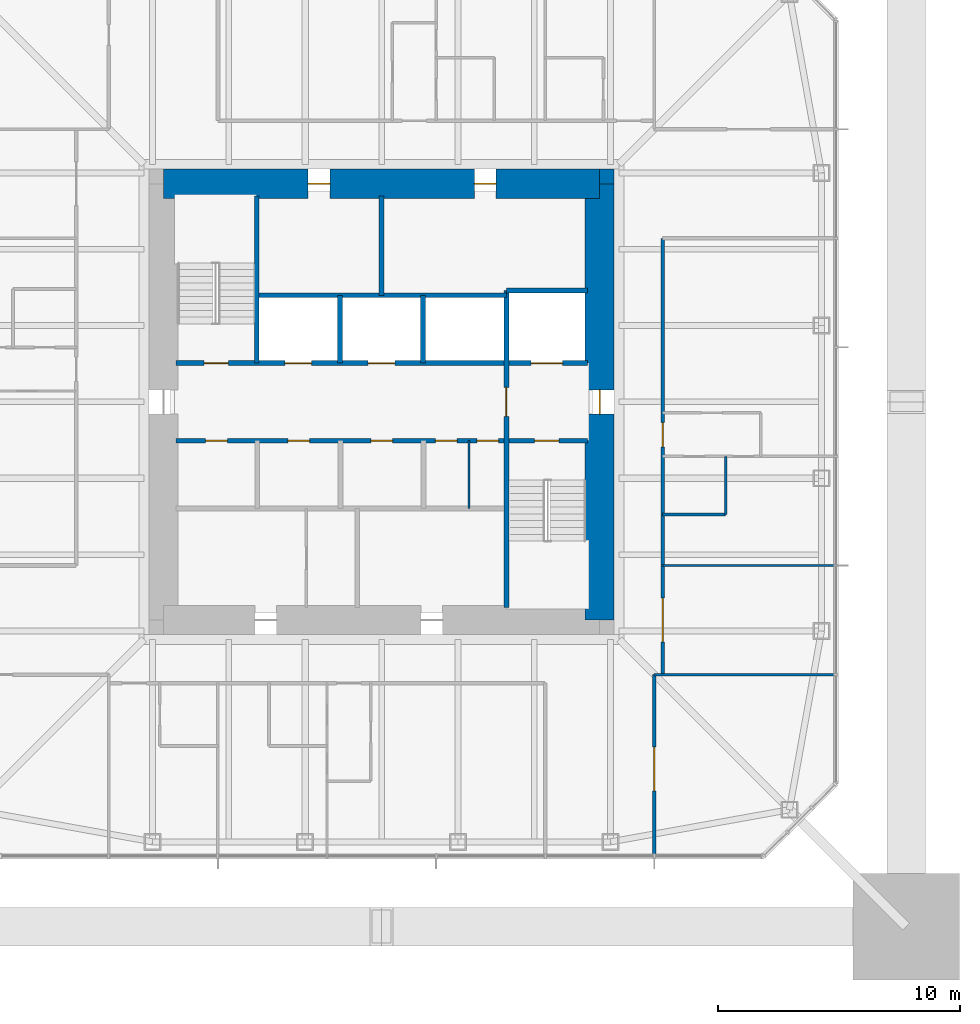
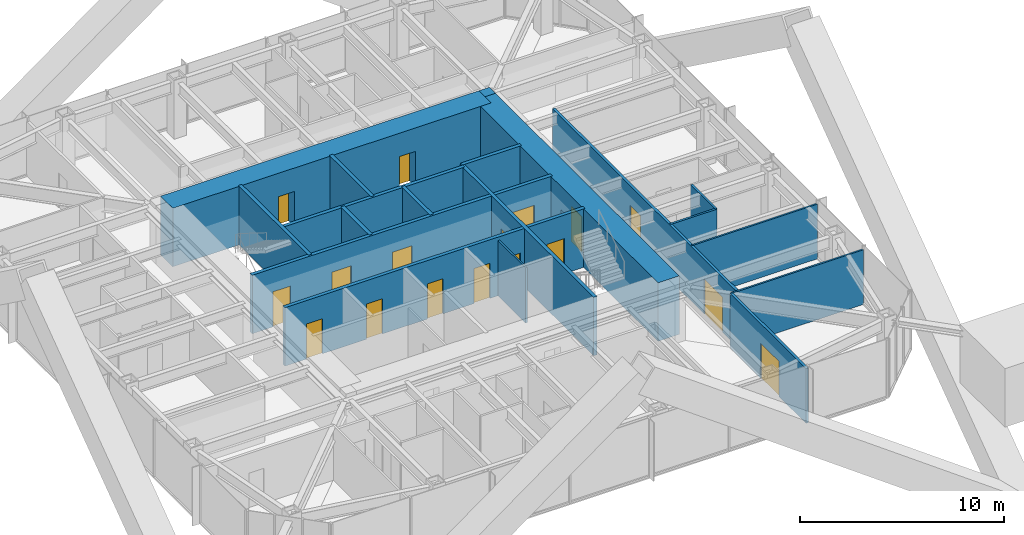
# One storey, part 9 of 13: 19 walls, 17 doors, 17 openings.
"""IFC4 building model written with IfcOpenShell, lengths in metres."""

from ifc_helpers import new_model, si_unit, direction, frame, frame_2d, origin, place, context, subcontext, project, spatial, rectangle, extrude, material, layer, layer_set, type_object, element, fill, save


model = new_model("IFC4")

# Units and contexts
model_context = context("Model", 3, precision=1e-05, world=origin(), true_north=direction((0.0, 1.0)))
body_context = subcontext(model_context, "Body", "Model", "MODEL_VIEW")
ifc_project = project(units=[si_unit("LENGTHUNIT", "METRE"), si_unit("AREAUNIT", "SQUARE_METRE"), si_unit("VOLUMEUNIT", "CUBIC_METRE"), si_unit("PLANEANGLEUNIT", "RADIAN"), si_unit("MASSUNIT", "GRAM", prefix="KILO")], contexts=[model_context])

# Site, building, storey
site_placement = place(None, origin())
site = spatial("IfcSite", under=ifc_project, at=site_placement, CompositionType="ELEMENT")
building_placement = place(site_placement, origin())
building = spatial("IfcBuilding", under=site, at=building_placement, Name="Iwan Alto Co-Living Towers", CompositionType="ELEMENT")
storey_placement = place(building_placement, frame((0.0, 0.0, 184.5)))
storey = spatial("IfcBuildingStorey", under=building, at=storey_placement, Name="L50", CompositionType="ELEMENT", Elevation=184.5)

# Wall, openings, doors
ifc_material_1 = material(Name="Gypsum board")
ifc_layer_1 = layer(ifc_material_1, 0.02490234375, Name="Board", Category="Finish")
ifc_material_2 = material(Name="Steel ASTM A1003 ST33H cold-formed studs", Category="steel")
ifc_layer_2 = layer(ifc_material_2, 0.10009765625, Name="Studs", Category="Framing")
ifc_layer_3 = layer(ifc_material_1, 0.02490234375, Name="Board", Category="Finish")
ifc_layer_set_1 = layer_set([ifc_layer_1, ifc_layer_2, ifc_layer_3], Name="CORRIDOR WALL 150")
wall_type_1 = type_object("IfcWallType", Name="CORRIDOR WALL 150", PredefinedType="PARTITIONING", material=ifc_layer_set_1)
wall_1_placement = place(storey_placement, frame((11.60009765625, -11.25, 0.0), z_axis=(0.0, 0.0, 1.0), x_axis=(0.0, 1.0, 0.0)))
wall_1 = element("IfcWall", 1, at=wall_1_placement, inside=storey, type_object=wall_type_1, Name="Partition L50", PredefinedType="PARTITIONING", context=body_context, shape_type="SweptSolid", body=[
    extrude(rectangle(XDim=18.0, YDim=0.14990234375, at=frame_2d((9.0, 0.0))), origin(), (0.0, 0.0, 1.0), 3.27001953125),
])
opening_1_placement = place(wall_1_placement, frame((1.35009765625, 0.0, 0.0)))
opening_1 = element("IfcOpeningElement", 2, at=opening_1_placement, cuts=wall_1, Name="Opening D9", PredefinedType="OPENING", context=body_context, shape_type="SweptSolid", body=[
    extrude(rectangle(XDim=1.800048828125, YDim=2.10009765625, at=frame_2d((0.89990234375, 1.050048828125))), frame((0.0, 0.0849609375, 0.0), z_axis=(0.0, -1.0, 0.0), x_axis=(1.0, 0.0, 0.0)), (0.0, 0.0, 1.0), 0.169921875),
])
opening_2_placement = place(wall_1_placement, frame((9.39990234375, 0.0, 0.0)))
opening_2 = element("IfcOpeningElement", 3, at=opening_2_placement, cuts=wall_1, Name="Opening D3", PredefinedType="OPENING", context=body_context, shape_type="SweptSolid", body=[
    extrude(rectangle(XDim=1.0, YDim=2.10009765625, at=frame_2d((0.5, 1.050048828125))), frame((0.0, 0.0849609375, 0.0), z_axis=(0.0, -1.0, 0.0), x_axis=(1.0, 0.0, 0.0)), (0.0, 0.0, 1.0), 0.169921875),
])
ifc_material_3 = material(Name="Steel frame with timber leaf", Category="steel")
door_type_1 = type_object("IfcDoorType", Name="FLAT ENTRANCE DOOR FD30S 1000X2100", OperationType="SINGLE_SWING_LEFT", PredefinedType="DOOR", material=ifc_material_3)
door_1_placement = place(opening_2_placement, frame((1.0, 0.0, 0.0), z_axis=(0.0, 0.0, 1.0), x_axis=(-1.0, 0.0, 0.0)))
door_1 = element("IfcDoor", 4, at=door_1_placement, inside=storey, type_object=door_type_1, Name="Apartment foyer door L50", OperationType="SINGLE_SWING_RIGHT", OverallHeight=2.10009765625, OverallWidth=1.0, PredefinedType="DOOR", context=body_context, shape_type="SweptSolid", body=[
    extrude(rectangle(XDim=1.0, YDim=2.10009765625, at=frame_2d((0.5, 1.050048828125))), frame((0.0, 0.02490234375, 0.0), z_axis=(0.0, -1.0, 0.0), x_axis=(1.0, 0.0, 0.0)), (0.0, 0.0, 1.0), 0.050048828125),
])
fill(opening_2, door_1)
ifc_material_4 = material(Name="Steel frame with timber leaf", Category="steel")
door_type_2 = type_object("IfcDoorType", Name="LOUNGE DOOR FD30S 1800X2100", OperationType="DOUBLE_DOOR_SINGLE_SWING", PredefinedType="DOOR", material=ifc_material_4)
door_2_placement = place(opening_1_placement, frame((1.800048828125, 0.0, 0.0), z_axis=(0.0, 0.0, 1.0), x_axis=(-1.0, 0.0, 0.0)))
door_2 = element("IfcDoor", 5, at=door_2_placement, inside=storey, type_object=door_type_2, Name="Games room door L50", OperationType="DOUBLE_DOOR_SINGLE_SWING", OverallHeight=2.10009765625, OverallWidth=1.800048828125, PredefinedType="DOOR", context=body_context, shape_type="SweptSolid", body=[
    extrude(rectangle(XDim=1.800048828125, YDim=2.10009765625, at=frame_2d((0.89990234375, 1.050048828125))), frame((0.0, 0.02490234375, 0.0), z_axis=(0.0, -1.0, 0.0), x_axis=(1.0, 0.0, 0.0)), (0.0, 0.0, 1.0), 0.050048828125),
])
fill(opening_1, door_2)

# Wall, opening, door
wall_2_placement = place(storey_placement, frame((11.25, -18.68994140625, 0.0), z_axis=(0.0, 0.0, 1.0), x_axis=(0.0, 1.0, 0.0)))
wall_2 = element("IfcWall", 6, at=wall_2_placement, inside=storey, type_object=wall_type_1, Name="Partition L50", PredefinedType="PARTITIONING", context=body_context, shape_type="SweptSolid", body=[
    extrude(rectangle(XDim=7.43994140625, YDim=0.14990234375, at=frame_2d((3.719970703125, 0.0))), origin(), (0.0, 0.0, 1.0), 3.27001953125),
])
opening_3_placement = place(wall_2_placement, frame((2.64501953125, 0.0, 0.0)))
opening_3 = element("IfcOpeningElement", 7, at=opening_3_placement, cuts=wall_2, Name="Opening D9", PredefinedType="OPENING", context=body_context, shape_type="SweptSolid", body=[
    extrude(rectangle(XDim=1.800048828125, YDim=2.10009765625, at=frame_2d((0.89990234375, 1.050048828125))), frame((0.0, 0.0849609375, 0.0), z_axis=(0.0, -1.0, 0.0), x_axis=(1.0, 0.0, 0.0)), (0.0, 0.0, 1.0), 0.169921875),
])
door_3_placement = place(opening_3_placement, frame((1.800048828125, 0.0, 0.0), z_axis=(0.0, 0.0, 1.0), x_axis=(-1.0, 0.0, 0.0)))
door_3 = element("IfcDoor", 8, at=door_3_placement, inside=storey, type_object=door_type_2, Name="Courtyard lounge door L50", OperationType="DOUBLE_DOOR_SINGLE_SWING", OverallHeight=2.10009765625, OverallWidth=1.800048828125, PredefinedType="DOOR", context=body_context, shape_type="SweptSolid", body=[
    extrude(rectangle(XDim=1.800048828125, YDim=2.10009765625, at=frame_2d((0.89990234375, 1.050048828125))), frame((0.0, 0.02490234375, 0.0), z_axis=(0.0, -1.0, 0.0), x_axis=(1.0, 0.0, 0.0)), (0.0, 0.0, 1.0), 0.050048828125),
])
fill(opening_3, door_3)

# Walls
ifc_layer_4 = layer(ifc_material_1, 0.012451171875, Name="Board", Category="Finish")
ifc_layer_5 = layer(ifc_material_2, 0.074951171875, Name="Studs", Category="Framing")
ifc_layer_6 = layer(ifc_material_1, 0.012451171875, Name="Board", Category="Finish")
ifc_layer_set_2 = layer_set([ifc_layer_4, ifc_layer_5, ifc_layer_6], Name="PARTITION 100")
wall_type_2 = type_object("IfcWallType", Name="PARTITION 100", PredefinedType="PARTITIONING", material=ifc_layer_set_2)
wall_3_placement = place(storey_placement, frame((11.25, -11.25, 0.0), z_axis=(0.0, 0.0, 1.0), x_axis=(1.0, 0.0, 0.0)))
element("IfcWall", 9, at=wall_3_placement, inside=storey, type_object=wall_type_2, Name="Partition L50", PredefinedType="PARTITIONING", context=body_context, shape_type="SweptSolid", body=[
    extrude(rectangle(XDim=7.43994140625, YDim=0.10009765625, at=frame_2d((3.719970703125, 0.0))), origin(), (0.0, 0.0, 1.0), 3.27001953125),
])
wall_4_placement = place(storey_placement, frame((11.60009765625, -6.75, 0.0), z_axis=(0.0, 0.0, 1.0), x_axis=(1.0, 0.0, 0.0)))
element("IfcWall", 10, at=wall_4_placement, inside=storey, type_object=wall_type_2, Name="Partition L50", PredefinedType="PARTITIONING", context=body_context, shape_type="SweptSolid", body=[
    extrude(rectangle(XDim=7.08984375, YDim=0.10009765625, at=frame_2d((3.544921875, 0.0))), origin(), (0.0, 0.0, 1.0), 3.27001953125),
])
wall_5_placement = place(storey_placement, frame((3.60888671875, -4.39990234375, 0.0), z_axis=(0.0, 0.0, 1.0), x_axis=(0.0, 1.0, 0.0)))
element("IfcWall", 11, at=wall_5_placement, inside=storey, type_object=wall_type_2, Name="Partition L50", PredefinedType="PARTITIONING", context=body_context, shape_type="SweptSolid", body=[
    extrude(rectangle(XDim=2.7998046875, YDim=0.10009765625, at=frame_2d((1.39990234375, 0.0))), origin(), (0.0, 0.0, 1.0), 3.300048828125),
])

# Wall, openings, doors
ifc_material_5 = material(Name="Concrete f'c 70 MPa", Category="concrete")
ifc_layer_7 = layer(ifc_material_5, 0.199951171875)
ifc_layer_set_3 = layer_set([ifc_layer_7], Name="SHAFT WALL 200")
wall_type_3 = type_object("IfcWallType", Name="SHAFT WALL 200", PredefinedType="SOLIDWALL", material=ifc_layer_set_3)
wall_6_placement = place(storey_placement, frame((-8.489990234375, -1.60009765625, 0.0), z_axis=(0.0, 0.0, 1.0), x_axis=(1.0, 0.0, 0.0)))
wall_6 = element("IfcWall", 12, at=wall_6_placement, inside=storey, type_object=wall_type_3, Name="Shaft wall L50", PredefinedType="SOLIDWALL", context=body_context, shape_type="SweptSolid", body=[
    extrude(rectangle(XDim=16.97998046875, YDim=0.199951171875, at=frame_2d((8.489990234375, 0.0))), origin(), (0.0, 0.0, 1.0), 3.5),
])
opening_4_placement = place(wall_6_placement, frame((14.81005859375, 0.0, 0.0)))
opening_4 = element("IfcOpeningElement", 13, at=opening_4_placement, cuts=wall_6, Name="Opening D5", PredefinedType="OPENING", context=body_context, shape_type="SweptSolid", body=[
    extrude(rectangle(XDim=1.0, YDim=2.10009765625, at=frame_2d((0.5, 1.050048828125))), frame((0.0, 0.10986328125, 0.0), z_axis=(0.0, -1.0, 0.0), x_axis=(1.0, 0.0, 0.0)), (0.0, 0.0, 1.0), 0.219970703125),
])
opening_5_placement = place(wall_6_placement, frame((1.23193359375, 0.0, 0.0)))
opening_5 = element("IfcOpeningElement", 14, at=opening_5_placement, cuts=wall_6, Name="Opening D15", PredefinedType="OPENING", context=body_context, shape_type="SweptSolid", body=[
    extrude(rectangle(XDim=0.89990234375, YDim=2.10009765625, at=frame_2d((0.449951171875, 1.050048828125))), frame((0.0, 0.10986328125, 0.0), z_axis=(0.0, -1.0, 0.0), x_axis=(1.0, 0.0, 0.0)), (0.0, 0.0, 1.0), 0.219970703125),
])
opening_6_placement = place(wall_6_placement, frame((4.626953125, 0.0, 0.0)))
opening_6 = element("IfcOpeningElement", 15, at=opening_6_placement, cuts=wall_6, Name="Opening D15", PredefinedType="OPENING", context=body_context, shape_type="SweptSolid", body=[
    extrude(rectangle(XDim=0.89990234375, YDim=2.10009765625, at=frame_2d((0.449951171875, 1.050048828125))), frame((0.0, 0.10986328125, 0.0), z_axis=(0.0, -1.0, 0.0), x_axis=(1.0, 0.0, 0.0)), (0.0, 0.0, 1.0), 0.219970703125),
])
opening_7_placement = place(wall_6_placement, frame((8.052001953125, 0.0, 0.0)))
opening_7 = element("IfcOpeningElement", 16, at=opening_7_placement, cuts=wall_6, Name="Opening D15", PredefinedType="OPENING", context=body_context, shape_type="SweptSolid", body=[
    extrude(rectangle(XDim=0.89990234375, YDim=2.10009765625, at=frame_2d((0.449951171875, 1.050048828125))), frame((0.0, 0.10986328125, 0.0), z_axis=(0.0, -1.0, 0.0), x_axis=(1.0, 0.0, 0.0)), (0.0, 0.0, 1.0), 0.219970703125),
])
opening_8_placement = place(wall_6_placement, frame((12.419921875, 0.0, 0.0)))
opening_8 = element("IfcOpeningElement", 17, at=opening_8_placement, cuts=wall_6, Name="Opening D15", PredefinedType="OPENING", context=body_context, shape_type="SweptSolid", body=[
    extrude(rectangle(XDim=0.89990234375, YDim=2.10009765625, at=frame_2d((0.449951171875, 1.050048828125))), frame((0.0, 0.10986328125, 0.0), z_axis=(0.0, -1.0, 0.0), x_axis=(1.0, 0.0, 0.0)), (0.0, 0.0, 1.0), 0.219970703125),
])
opening_9_placement = place(wall_6_placement, frame((10.70703125, 0.0, 0.0)))
opening_9 = element("IfcOpeningElement", 18, at=opening_9_placement, cuts=wall_6, Name="Opening D15", PredefinedType="OPENING", context=body_context, shape_type="SweptSolid", body=[
    extrude(rectangle(XDim=0.89990234375, YDim=2.10009765625, at=frame_2d((0.449951171875, 1.050048828125))), frame((0.0, 0.10986328125, 0.0), z_axis=(0.0, -1.0, 0.0), x_axis=(1.0, 0.0, 0.0)), (0.0, 0.0, 1.0), 0.219970703125),
])
ifc_material_6 = material(Name="Steel frame with timber leaf", Category="steel")
door_type_3 = type_object("IfcDoorType", Name="CORE ROOM DOOR FD60S 900X2100", OperationType="SINGLE_SWING_LEFT", PredefinedType="DOOR", material=ifc_material_6)
door_4_placement = place(opening_5_placement, frame((0.89990234375, 0.0, 0.0), z_axis=(0.0, 0.0, 1.0), x_axis=(-1.0, 0.0, 0.0)))
door_4 = element("IfcDoor", 19, at=door_4_placement, inside=storey, type_object=door_type_3, Name="Linen store door L50", OperationType="SINGLE_SWING_LEFT", OverallHeight=2.10009765625, OverallWidth=0.89990234375, PredefinedType="DOOR", context=body_context, shape_type="SweptSolid", body=[
    extrude(rectangle(XDim=0.89990234375, YDim=2.10009765625, at=frame_2d((0.449951171875, 1.050048828125))), frame((0.0, 0.02490234375, 0.0), z_axis=(0.0, -1.0, 0.0), x_axis=(1.0, 0.0, 0.0)), (0.0, 0.0, 1.0), 0.050048828125),
])
fill(opening_5, door_4)
door_5_placement = place(opening_6_placement, frame((0.89990234375, 0.0, 0.0), z_axis=(0.0, 0.0, 1.0), x_axis=(-1.0, 0.0, 0.0)))
door_5 = element("IfcDoor", 20, at=door_5_placement, inside=storey, type_object=door_type_3, Name="Cleaner's store door L50", OperationType="SINGLE_SWING_RIGHT", OverallHeight=2.10009765625, OverallWidth=0.89990234375, PredefinedType="DOOR", context=body_context, shape_type="SweptSolid", body=[
    extrude(rectangle(XDim=0.89990234375, YDim=2.10009765625, at=frame_2d((0.449951171875, 1.050048828125))), frame((0.0, 0.02490234375, 0.0), z_axis=(0.0, -1.0, 0.0), x_axis=(1.0, 0.0, 0.0)), (0.0, 0.0, 1.0), 0.050048828125),
])
fill(opening_6, door_5)
door_6_placement = place(opening_7_placement, frame((0.89990234375, 0.0, 0.0), z_axis=(0.0, 0.0, 1.0), x_axis=(-1.0, 0.0, 0.0)))
door_6 = element("IfcDoor", 21, at=door_6_placement, inside=storey, type_object=door_type_3, Name="Guest pantry door L50", OperationType="SINGLE_SWING_RIGHT", OverallHeight=2.10009765625, OverallWidth=0.89990234375, PredefinedType="DOOR", context=body_context, shape_type="SweptSolid", body=[
    extrude(rectangle(XDim=0.89990234375, YDim=2.10009765625, at=frame_2d((0.449951171875, 1.050048828125))), frame((0.0, 0.02490234375, 0.0), z_axis=(0.0, -1.0, 0.0), x_axis=(1.0, 0.0, 0.0)), (0.0, 0.0, 1.0), 0.050048828125),
])
fill(opening_7, door_6)
door_7_placement = place(opening_8_placement, frame((0.89990234375, 0.0, 0.0), z_axis=(0.0, 0.0, 1.0), x_axis=(-1.0, 0.0, 0.0)))
door_7 = element("IfcDoor", 22, at=door_7_placement, inside=storey, type_object=door_type_3, Name="IT room door L50", OperationType="SINGLE_SWING_RIGHT", OverallHeight=2.10009765625, OverallWidth=0.89990234375, PredefinedType="DOOR", context=body_context, shape_type="SweptSolid", body=[
    extrude(rectangle(XDim=0.89990234375, YDim=2.10009765625, at=frame_2d((0.449951171875, 1.050048828125))), frame((0.0, 0.02490234375, 0.0), z_axis=(0.0, -1.0, 0.0), x_axis=(1.0, 0.0, 0.0)), (0.0, 0.0, 1.0), 0.050048828125),
])
fill(opening_8, door_7)
door_8_placement = place(opening_9_placement, frame((0.89990234375, 0.0, 0.0), z_axis=(0.0, 0.0, 1.0), x_axis=(-1.0, 0.0, 0.0)))
door_8 = element("IfcDoor", 23, at=door_8_placement, inside=storey, type_object=door_type_3, Name="Vending and ice room door L50", OperationType="SINGLE_SWING_RIGHT", OverallHeight=2.10009765625, OverallWidth=0.89990234375, PredefinedType="DOOR", context=body_context, shape_type="SweptSolid", body=[
    extrude(rectangle(XDim=0.89990234375, YDim=2.10009765625, at=frame_2d((0.449951171875, 1.050048828125))), frame((0.0, 0.02490234375, 0.0), z_axis=(0.0, -1.0, 0.0), x_axis=(1.0, 0.0, 0.0)), (0.0, 0.0, 1.0), 0.050048828125),
])
fill(opening_9, door_8)
ifc_material_7 = material(Name="Steel frame with timber leaf", Category="steel")
door_type_4 = type_object("IfcDoorType", Name="STAIR DOOR FD120S 1000X2100", OperationType="SINGLE_SWING_LEFT", PredefinedType="DOOR", material=ifc_material_7)
door_9_placement = place(opening_4_placement, frame((1.0, 0.0, 0.0), z_axis=(0.0, 0.0, 1.0), x_axis=(-1.0, 0.0, 0.0)))
door_9 = element("IfcDoor", 24, at=door_9_placement, inside=storey, type_object=door_type_4, Name="Stair S2 door L50", OperationType="SINGLE_SWING_RIGHT", OverallHeight=2.10009765625, OverallWidth=1.0, PredefinedType="DOOR", context=body_context, shape_type="SweptSolid", body=[
    extrude(rectangle(XDim=1.0, YDim=2.10009765625, at=frame_2d((0.5, 1.050048828125))), frame((0.0, 0.02490234375, 0.0), z_axis=(0.0, -1.0, 0.0), x_axis=(1.0, 0.0, 0.0)), (0.0, 0.0, 1.0), 0.050048828125),
])
fill(opening_4, door_9)

wall_7_placement = place(storey_placement, frame((-8.489990234375, 1.60009765625, 0.0), z_axis=(0.0, 0.0, 1.0), x_axis=(1.0, 0.0, 0.0)))
wall_7 = element("IfcWall", 25, at=wall_7_placement, inside=storey, type_object=wall_type_3, Name="Shaft wall L50", PredefinedType="SOLIDWALL", context=body_context, shape_type="SweptSolid", body=[
    extrude(rectangle(XDim=16.97998046875, YDim=0.199951171875, at=frame_2d((8.489990234375, 0.0))), origin(), (0.0, 0.0, 1.0), 3.5),
])
opening_10_placement = place(wall_7_placement, frame((1.169921875, 0.0, 0.0)))
opening_10 = element("IfcOpeningElement", 26, at=opening_10_placement, cuts=wall_7, Name="Opening D5", PredefinedType="OPENING", context=body_context, shape_type="SweptSolid", body=[
    extrude(rectangle(XDim=1.0, YDim=2.10009765625, at=frame_2d((0.5, 1.050048828125))), frame((0.0, 0.10986328125, 0.0), z_axis=(0.0, -1.0, 0.0), x_axis=(1.0, 0.0, 0.0)), (0.0, 0.0, 1.0), 0.219970703125),
])
opening_11_placement = place(wall_7_placement, frame((4.506103515625, 0.0, 0.0)))
opening_11 = element("IfcOpeningElement", 27, at=opening_11_placement, cuts=wall_7, Name="Opening LD", PredefinedType="OPENING", context=body_context, shape_type="SweptSolid", body=[
    extrude(rectangle(XDim=1.10009765625, YDim=2.10009765625, at=frame_2d((0.550048828125, 1.050048828125))), frame((0.0, 0.10986328125, 0.0), z_axis=(0.0, -1.0, 0.0), x_axis=(1.0, 0.0, 0.0)), (0.0, 0.0, 1.0), 0.219970703125),
])
opening_12_placement = place(wall_7_placement, frame((7.93994140625, 0.0, 0.0)))
opening_12 = element("IfcOpeningElement", 28, at=opening_12_placement, cuts=wall_7, Name="Opening LD", PredefinedType="OPENING", context=body_context, shape_type="SweptSolid", body=[
    extrude(rectangle(XDim=1.10009765625, YDim=2.10009765625, at=frame_2d((0.550048828125, 1.050048828125))), frame((0.0, 0.10986328125, 0.0), z_axis=(0.0, -1.0, 0.0), x_axis=(1.0, 0.0, 0.0)), (0.0, 0.0, 1.0), 0.219970703125),
])
opening_13_placement = place(wall_7_placement, frame((14.659912109375, 0.0, 0.0)))
opening_13 = element("IfcOpeningElement", 29, at=opening_13_placement, cuts=wall_7, Name="Opening LD2", PredefinedType="OPENING", context=body_context, shape_type="SweptSolid", body=[
    extrude(rectangle(XDim=1.300048828125, YDim=2.10009765625, at=frame_2d((0.64990234375, 1.050048828125))), frame((0.0, 0.10986328125, 0.0), z_axis=(0.0, -1.0, 0.0), x_axis=(1.0, 0.0, 0.0)), (0.0, 0.0, 1.0), 0.219970703125),
])
ifc_material_8 = material(Name="Steel frame with timber leaf", Category="steel")
door_type_5 = type_object("IfcDoorType", Name="LIFT LANDING DOOR 1100X2100", OperationType="DOUBLE_DOOR_SLIDING", PredefinedType="DOOR", material=ifc_material_8)
door_10_placement = place(opening_11_placement, origin())
door_10 = element("IfcDoor", 30, at=door_10_placement, inside=storey, type_object=door_type_5, Name="Lift P3-1 landing door L50", OperationType="DOUBLE_DOOR_SLIDING", OverallHeight=2.10009765625, OverallWidth=1.10009765625, PredefinedType="DOOR", context=body_context, shape_type="SweptSolid", body=[
    extrude(rectangle(XDim=1.10009765625, YDim=2.10009765625, at=frame_2d((0.550048828125, 1.050048828125))), frame((0.0, 0.02490234375, 0.0), z_axis=(0.0, -1.0, 0.0), x_axis=(1.0, 0.0, 0.0)), (0.0, 0.0, 1.0), 0.050048828125),
])
fill(opening_11, door_10)
door_11_placement = place(opening_12_placement, origin())
door_11 = element("IfcDoor", 31, at=door_11_placement, inside=storey, type_object=door_type_5, Name="Lift P3-2 landing door L50", OperationType="DOUBLE_DOOR_SLIDING", OverallHeight=2.10009765625, OverallWidth=1.10009765625, PredefinedType="DOOR", context=body_context, shape_type="SweptSolid", body=[
    extrude(rectangle(XDim=1.10009765625, YDim=2.10009765625, at=frame_2d((0.550048828125, 1.050048828125))), frame((0.0, 0.02490234375, 0.0), z_axis=(0.0, -1.0, 0.0), x_axis=(1.0, 0.0, 0.0)), (0.0, 0.0, 1.0), 0.050048828125),
])
fill(opening_12, door_11)
ifc_material_9 = material(Name="Steel frame with timber leaf", Category="steel")
door_type_6 = type_object("IfcDoorType", Name="LIFT LANDING DOOR 1300X2100", OperationType="SLIDING_TO_LEFT", PredefinedType="DOOR", material=ifc_material_9)
door_12_placement = place(opening_13_placement, origin())
door_12 = element("IfcDoor", 32, at=door_12_placement, inside=storey, type_object=door_type_6, Name="Lift FL1 landing door L50", OperationType="SLIDING_TO_LEFT", OverallHeight=2.10009765625, OverallWidth=1.300048828125, PredefinedType="DOOR", context=body_context, shape_type="SweptSolid", body=[
    extrude(rectangle(XDim=1.300048828125, YDim=2.10009765625, at=frame_2d((0.64990234375, 1.050048828125))), frame((0.0, 0.02490234375, 0.0), z_axis=(0.0, -1.0, 0.0), x_axis=(1.0, 0.0, 0.0)), (0.0, 0.0, 1.0), 0.050048828125),
])
fill(opening_13, door_12)
door_13_placement = place(opening_10_placement, origin())
door_13 = element("IfcDoor", 33, at=door_13_placement, inside=storey, type_object=door_type_4, Name="Stair S1 door L50", OperationType="SINGLE_SWING_RIGHT", OverallHeight=2.10009765625, OverallWidth=1.0, PredefinedType="DOOR", context=body_context, shape_type="SweptSolid", body=[
    extrude(rectangle(XDim=1.0, YDim=2.10009765625, at=frame_2d((0.5, 1.050048828125))), frame((0.0, 0.02490234375, 0.0), z_axis=(0.0, -1.0, 0.0), x_axis=(1.0, 0.0, 0.0)), (0.0, 0.0, 1.0), 0.050048828125),
])
fill(opening_10, door_13)

# Walls
wall_8_placement = place(storey_placement, frame((-5.14990234375, 4.39990234375, 0.0), z_axis=(0.0, 0.0, 1.0), x_axis=(1.0, 0.0, 0.0)))
element("IfcWall", 34, at=wall_8_placement, inside=storey, type_object=wall_type_3, Name="Shaft wall L50", PredefinedType="SOLIDWALL", context=body_context, shape_type="SweptSolid", body=[
    extrude(rectangle(XDim=10.2998046875, YDim=0.199951171875, at=frame_2d((5.14990234375, 0.0))), origin(), (0.0, 0.0, 1.0), 3.5),
])
wall_9_placement = place(storey_placement, frame((5.14990234375, 4.60009765625, 0.0), z_axis=(0.0, 0.0, 1.0), x_axis=(1.0, 0.0, 0.0)))
element("IfcWall", 35, at=wall_9_placement, inside=storey, type_object=wall_type_3, Name="Shaft wall L50", PredefinedType="SOLIDWALL", context=body_context, shape_type="SweptSolid", body=[
    extrude(rectangle(XDim=3.340087890625, YDim=0.199951171875, at=frame_2d((1.669921875, 0.0))), origin(), (0.0, 0.0, 1.0), 3.5),
])

# Wall, opening, door
wall_10_placement = place(storey_placement, frame((5.14990234375, -8.489990234375, 0.0), z_axis=(0.0, 0.0, 1.0), x_axis=(0.0, 1.0, 0.0)))
wall_10 = element("IfcWall", 36, at=wall_10_placement, inside=storey, type_object=wall_type_3, Name="Shaft wall L50", PredefinedType="SOLIDWALL", context=body_context, shape_type="SweptSolid", body=[
    extrude(rectangle(XDim=13.090087890625, YDim=0.199951171875, at=frame_2d((6.544921875, 0.0))), origin(), (0.0, 0.0, 1.0), 3.5),
])
opening_14_placement = place(wall_10_placement, frame((7.889892578125, 0.0, 0.0)))
opening_14 = element("IfcOpeningElement", 37, at=opening_14_placement, cuts=wall_10, Name="Opening D6", PredefinedType="OPENING", context=body_context, shape_type="SweptSolid", body=[
    extrude(rectangle(XDim=1.199951171875, YDim=2.10009765625, at=frame_2d((0.60009765625, 1.050048828125))), frame((0.0, 0.10986328125, 0.0), z_axis=(0.0, -1.0, 0.0), x_axis=(1.0, 0.0, 0.0)), (0.0, 0.0, 1.0), 0.219970703125),
])
ifc_material_10 = material(Name="Steel frame with timber leaf", Category="steel")
door_type_7 = type_object("IfcDoorType", Name="LOBBY DOOR FD120S 1200X2100", OperationType="SINGLE_SWING_LEFT", PredefinedType="DOOR", material=ifc_material_10)
door_14_placement = place(opening_14_placement, frame((1.199951171875, 0.0, 0.0), z_axis=(0.0, 0.0, 1.0), x_axis=(-1.0, 0.0, 0.0)))
door_14 = element("IfcDoor", 38, at=door_14_placement, inside=storey, type_object=door_type_7, Name="Firefighting lobby door L50", OperationType="SINGLE_SWING_RIGHT", OverallHeight=2.10009765625, OverallWidth=1.199951171875, PredefinedType="DOOR", context=body_context, shape_type="SweptSolid", body=[
    extrude(rectangle(XDim=1.199951171875, YDim=2.10009765625, at=frame_2d((0.60009765625, 1.050048828125))), frame((0.0, 0.02490234375, 0.0), z_axis=(0.0, -1.0, 0.0), x_axis=(1.0, 0.0, 0.0)), (0.0, 0.0, 1.0), 0.050048828125),
])
fill(opening_14, door_14)

# Walls
wall_11_placement = place(storey_placement, frame((1.717041015625, 1.60009765625, 0.0), z_axis=(0.0, 0.0, 1.0), x_axis=(0.0, 1.0, 0.0)))
element("IfcWall", 39, at=wall_11_placement, inside=storey, type_object=wall_type_3, Name="Shaft wall L50", PredefinedType="SOLIDWALL", context=body_context, shape_type="SweptSolid", body=[
    extrude(rectangle(XDim=2.7998046875, YDim=0.199951171875, at=frame_2d((1.39990234375, 0.0))), origin(), (0.0, 0.0, 1.0), 3.5),
])
wall_12_placement = place(storey_placement, frame((0.0, 4.39990234375, 0.0), z_axis=(0.0, 0.0, 1.0), x_axis=(0.0, 1.0, 0.0)))
element("IfcWall", 40, at=wall_12_placement, inside=storey, type_object=wall_type_3, Name="Shaft wall L50", PredefinedType="SOLIDWALL", context=body_context, shape_type="SweptSolid", body=[
    extrude(rectangle(XDim=4.090087890625, YDim=0.199951171875, at=frame_2d((2.044921875, 0.0))), origin(), (0.0, 0.0, 1.0), 3.5),
])
wall_13_placement = place(storey_placement, frame((-1.717041015625, 1.60009765625, 0.0), z_axis=(0.0, 0.0, 1.0), x_axis=(0.0, 1.0, 0.0)))
element("IfcWall", 41, at=wall_13_placement, inside=storey, type_object=wall_type_3, Name="Shaft wall L50", PredefinedType="SOLIDWALL", context=body_context, shape_type="SweptSolid", body=[
    extrude(rectangle(XDim=2.7998046875, YDim=0.199951171875, at=frame_2d((1.39990234375, 0.0))), origin(), (0.0, 0.0, 1.0), 3.5),
])
wall_14_placement = place(storey_placement, frame((-5.14990234375, 1.60009765625, 0.0), z_axis=(0.0, 0.0, 1.0), x_axis=(0.0, 1.0, 0.0)))
element("IfcWall", 42, at=wall_14_placement, inside=storey, type_object=wall_type_3, Name="Shaft wall L50", PredefinedType="SOLIDWALL", context=body_context, shape_type="SweptSolid", body=[
    extrude(rectangle(XDim=6.889892578125, YDim=0.199951171875, at=frame_2d((3.44482421875, 0.0))), origin(), (0.0, 0.0, 1.0), 3.5),
])
ifc_material_11 = material(Name="Concrete f'c 70 MPa", Category="concrete")
ifc_layer_8 = layer(ifc_material_11, 0.60009765625)
ifc_layer_set_4 = layer_set([ifc_layer_8], Name="T1 CORE CORNER FILL 600")
wall_type_4 = type_object("IfcWallType", Name="T1 CORE CORNER FILL 600", PredefinedType="SOLIDWALL", material=ifc_layer_set_4)
wall_15_placement = place(storey_placement, frame((9.0, 9.300048828125, 0.0), z_axis=(0.0, 0.0, 1.0), x_axis=(1.0, 0.0, 0.0)))
element("IfcWall", 43, at=wall_15_placement, inside=storey, type_object=wall_type_4, Name="T1 core corner NE L50", PredefinedType="SOLIDWALL", context=body_context, shape_type="SweptSolid", body=[
    extrude(rectangle(XDim=0.60009765625, YDim=0.60009765625, at=frame_2d((0.300048828125, 0.0))), origin(), (0.0, 0.0, 1.0), 3.5),
])

# Wall, openings, doors
ifc_material_12 = material(Name="Concrete f'c 70 MPa", Category="concrete")
ifc_layer_9 = layer(ifc_material_12, 1.199951171875)
ifc_layer_set_5 = layer_set([ifc_layer_9], Name="T1 CORE WALL 1200")
wall_type_5 = type_object("IfcWallType", Name="T1 CORE WALL 1200", PredefinedType="SHEAR", material=ifc_layer_set_5)
wall_16_placement = place(storey_placement, frame((9.0, 9.0, 0.0), z_axis=(0.0, 0.0, 1.0), x_axis=(-1.0, 0.0, 0.0)))
wall_16 = element("IfcWall", 44, at=wall_16_placement, inside=storey, type_object=wall_type_5, Name="T1 core wall N L50", PredefinedType="SHEAR", context=body_context, shape_type="SweptSolid", body=[
    extrude(rectangle(XDim=18.0, YDim=1.199951171875, at=frame_2d((9.0, 0.0))), origin(), (0.0, 0.0, 1.0), 3.5),
])
opening_15_placement = place(wall_16_placement, frame((11.125, 0.0, 0.0)))
opening_15 = element("IfcOpeningElement", 45, at=opening_15_placement, cuts=wall_16, Name="Opening D8", PredefinedType="OPENING", context=body_context, shape_type="SweptSolid", body=[
    extrude(rectangle(XDim=0.89990234375, YDim=2.10009765625, at=frame_2d((0.449951171875, 1.050048828125))), frame((0.0, 0.60986328125, 0.0), z_axis=(0.0, -1.0, 0.0), x_axis=(1.0, 0.0, 0.0)), (0.0, 0.0, 1.0), 1.219970703125),
])
opening_16_placement = place(wall_16_placement, frame((4.27490234375, 0.0, 0.0)))
opening_16 = element("IfcOpeningElement", 46, at=opening_16_placement, cuts=wall_16, Name="Opening D8", PredefinedType="OPENING", context=body_context, shape_type="SweptSolid", body=[
    extrude(rectangle(XDim=0.89990234375, YDim=2.10009765625, at=frame_2d((0.449951171875, 1.050048828125))), frame((0.0, 0.60986328125, 0.0), z_axis=(0.0, -1.0, 0.0), x_axis=(1.0, 0.0, 0.0)), (0.0, 0.0, 1.0), 1.219970703125),
])
ifc_material_13 = material(Name="Steel frame with timber leaf", Category="steel")
door_type_8 = type_object("IfcDoorType", Name="RISER DOOR FD120 900X2100", OperationType="SINGLE_SWING_LEFT", PredefinedType="DOOR", material=ifc_material_13)
door_15_placement = place(opening_15_placement, origin())
door_15 = element("IfcDoor", 47, at=door_15_placement, inside=storey, type_object=door_type_8, Name="Electrical riser core door L50", OperationType="SINGLE_SWING_RIGHT", OverallHeight=2.10009765625, OverallWidth=0.89990234375, PredefinedType="DOOR", context=body_context, shape_type="SweptSolid", body=[
    extrude(rectangle(XDim=0.89990234375, YDim=2.10009765625, at=frame_2d((0.449951171875, 1.050048828125))), frame((0.0, 0.02490234375, 0.0), z_axis=(0.0, -1.0, 0.0), x_axis=(1.0, 0.0, 0.0)), (0.0, 0.0, 1.0), 0.050048828125),
])
fill(opening_15, door_15)
door_16_placement = place(opening_16_placement, origin())
door_16 = element("IfcDoor", 48, at=door_16_placement, inside=storey, type_object=door_type_8, Name="Water and drainage riser core door L50", OperationType="SINGLE_SWING_RIGHT", OverallHeight=2.10009765625, OverallWidth=0.89990234375, PredefinedType="DOOR", context=body_context, shape_type="SweptSolid", body=[
    extrude(rectangle(XDim=0.89990234375, YDim=2.10009765625, at=frame_2d((0.449951171875, 1.050048828125))), frame((0.0, 0.02490234375, 0.0), z_axis=(0.0, -1.0, 0.0), x_axis=(1.0, 0.0, 0.0)), (0.0, 0.0, 1.0), 0.050048828125),
])
fill(opening_16, door_16)

# Wall, opening, door
wall_17_placement = place(storey_placement, frame((9.0, -9.0, 0.0), z_axis=(0.0, 0.0, 1.0), x_axis=(0.0, 1.0, 0.0)))
wall_17 = element("IfcWall", 49, at=wall_17_placement, inside=storey, type_object=wall_type_5, Name="T1 core wall E L50", PredefinedType="SHEAR", context=body_context, shape_type="SweptSolid", body=[
    extrude(rectangle(XDim=18.0, YDim=1.199951171875, at=frame_2d((9.0, 0.0))), origin(), (0.0, 0.0, 1.0), 3.5),
])
opening_17_placement = place(wall_17_placement, frame((8.5, 0.0, 0.0)))
opening_17 = element("IfcOpeningElement", 50, at=opening_17_placement, cuts=wall_17, Name="Opening D7", PredefinedType="OPENING", context=body_context, shape_type="SweptSolid", body=[
    extrude(rectangle(XDim=1.0, YDim=2.10009765625, at=frame_2d((0.5, 1.050048828125))), frame((0.0, 0.60986328125, 0.0), z_axis=(0.0, -1.0, 0.0), x_axis=(1.0, 0.0, 0.0)), (0.0, 0.0, 1.0), 1.219970703125),
])
ifc_material_14 = material(Name="Steel frame with timber leaf", Category="steel")
door_type_9 = type_object("IfcDoorType", Name="CORE DOOR FD120S 1000X2100", OperationType="SINGLE_SWING_LEFT", PredefinedType="DOOR", material=ifc_material_14)
door_17_placement = place(opening_17_placement, origin())
door_17 = element("IfcDoor", 51, at=door_17_placement, inside=storey, type_object=door_type_9, Name="Firefighting lobby core door L50", OperationType="SINGLE_SWING_LEFT", OverallHeight=2.10009765625, OverallWidth=1.0, PredefinedType="DOOR", context=body_context, shape_type="SweptSolid", body=[
    extrude(rectangle(XDim=1.0, YDim=2.10009765625, at=frame_2d((0.5, 1.050048828125))), frame((0.0, 0.02490234375, 0.0), z_axis=(0.0, -1.0, 0.0), x_axis=(1.0, 0.0, 0.0)), (0.0, 0.0, 1.0), 0.050048828125),
])
fill(opening_17, door_17)

# Walls
ifc_material_15 = material(Name="Cement board")
ifc_layer_10 = layer(ifc_material_15, 0.012451171875, Name="Board", Category="Finish")
ifc_layer_11 = layer(ifc_material_2, 0.094970703125, Name="Studs", Category="Framing")
ifc_layer_12 = layer(ifc_material_15, 0.012451171875, Name="Board", Category="Finish")
ifc_layer_set_6 = layer_set([ifc_layer_10, ifc_layer_11, ifc_layer_12], Name="WET AREA PARTITION 120")
wall_type_6 = type_object("IfcWallType", Name="WET AREA PARTITION 120", PredefinedType="PARTITIONING", material=ifc_layer_set_6)
wall_18_placement = place(storey_placement, frame((11.60009765625, -4.64990234375, 0.0), z_axis=(0.0, 0.0, 1.0), x_axis=(1.0, 0.0, 0.0)))
element("IfcWall", 52, at=wall_18_placement, inside=storey, type_object=wall_type_6, Name="Partition L50", PredefinedType="PARTITIONING", context=body_context, shape_type="SweptSolid", body=[
    extrude(rectangle(XDim=2.599853515625, YDim=0.1201171875, at=frame_2d((1.2998046875, 0.0))), origin(), (0.0, 0.0, 1.0), 3.27001953125),
])
wall_19_placement = place(storey_placement, frame((14.199951171875, -4.64990234375, 0.0), z_axis=(0.0, 0.0, 1.0), x_axis=(0.0, 1.0, 0.0)))
element("IfcWall", 53, at=wall_19_placement, inside=storey, type_object=wall_type_6, Name="Partition L50", PredefinedType="PARTITIONING", context=body_context, shape_type="SweptSolid", body=[
    extrude(rectangle(XDim=2.39990234375, YDim=0.1201171875, at=frame_2d((1.199951171875, 0.0))), origin(), (0.0, 0.0, 1.0), 3.27001953125),
])

save(model, "model.ifc")
